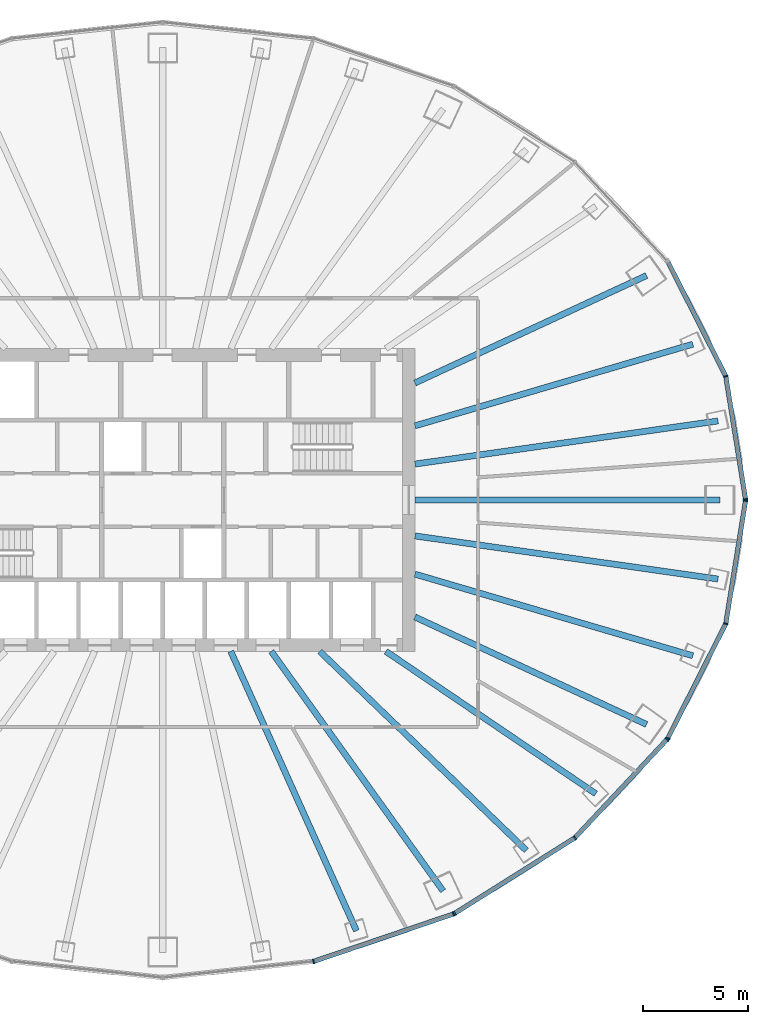
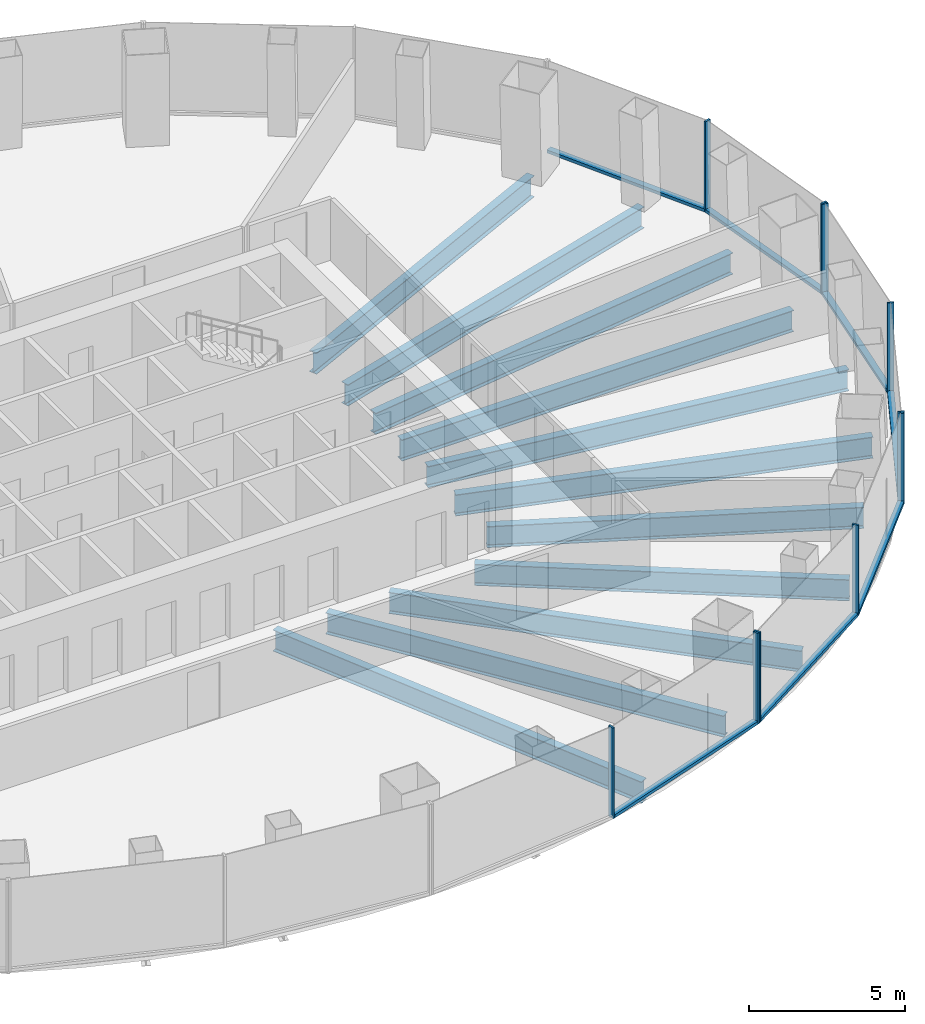
# One storey, part 4 of 11: 17 members, 11 beams, 4 elements without a shape of their own.
"""IFC4 building model written with IfcOpenShell, lengths in metres."""

import ifcopenshell
import ifcopenshell.guid

model = None  # the IFC model being written
_history = None  # IfcOwnerHistory: only IFC2X3 demands one
_inside = {}  # id of a spatial element -> (the spatial element, [elements in it])
_under = {}  # id of a project, library or spatial element -> (it, [spatial elements below it])
_declared = {}  # id of a project -> (the project, [libraries it declares])
_typed = {}  # id of a type object -> (the type object, [elements of that type])
_made_of = {}  # id of a material, layer set ... -> (it, [elements and type objects made of it])


def new_model(schema):
    """Start an empty IFC model of exactly this schema.

    Asked for "IFC4X3", IfcOpenShell would pick the latest addendum, in which some entities
    have other attributes; the version numbers below select the first issue.
    IFC2X3 requires an IfcOwnerHistory on every rooted entity: one is made here for all.
    """
    global model, _history
    if schema == "IFC4X3":
        model = ifcopenshell.file(schema_version=(4, 3, 0, 0))
    else:
        model = ifcopenshell.file(schema=schema)
    _inside.clear()
    _under.clear()
    _declared.clear()
    _typed.clear()
    _made_of.clear()
    _history = None
    if model.schema == "IFC2X3":
        org = make("IfcOrganization", Name="unknown")
        user = make(
            "IfcPersonAndOrganization",
            ThePerson=make("IfcPerson", FamilyName="unknown"),
            TheOrganization=org,
        )
        app = make(
            "IfcApplication",
            ApplicationDeveloper=org,
            Version="unknown",
            ApplicationFullName="unknown",
            ApplicationIdentifier="unknown",
        )
        _history = make(
            "IfcOwnerHistory",
            OwningUser=user,
            OwningApplication=app,
            ChangeAction="ADDED",
            CreationDate=0,
        )
    return model


def make(cls, **values):
    """One entity of the class cls with the attributes given. An attribute that is None is left unset."""
    return model.create_entity(
        cls, **{name: value for name, value in values.items() if value is not None}
    )


def rooted(cls, **values):
    """An entity with a GlobalId (a new one), such as an element, a storey or a relation."""
    return make(cls, GlobalId=ifcopenshell.guid.new(), OwnerHistory=_history, **values)


def si_unit(unit_type, name, prefix=None):
    """IfcSIUnit, for example si_unit("LENGTHUNIT", "METRE", prefix="MILLI")."""
    return make("IfcSIUnit", UnitType=unit_type, Prefix=prefix, Name=name)


def assignment(units):
    """IfcUnitAssignment: the units of a project."""
    return None if units is None else make("IfcUnitAssignment", Units=units)


def point(xyz):
    """IfcCartesianPoint."""
    return None if xyz is None else make("IfcCartesianPoint", Coordinates=xyz)


def direction(xyz):
    """IfcDirection."""
    return None if xyz is None else make("IfcDirection", DirectionRatios=xyz)


def frame(location, z_axis=None, x_axis=None):
    """IfcAxis2Placement3D, a coordinate frame: its origin and axes. An axis left out is left unset."""
    return make(
        "IfcAxis2Placement3D",
        Location=point(location),
        Axis=direction(z_axis),
        RefDirection=direction(x_axis),
    )


def frame_2d(location, x_axis=None):
    """IfcAxis2Placement2D, a coordinate frame in the plane: its origin and x axis."""
    return make(
        "IfcAxis2Placement2D", Location=point(location), RefDirection=direction(x_axis)
    )


def origin():
    """The frame at (0, 0, 0) with its axes left unset."""
    return frame((0.0, 0.0, 0.0))


def origin_2d():
    """The frame at (0, 0) in the plane with its x axis left unset."""
    return frame_2d((0.0, 0.0))


def place(relative_to, where):
    """IfcLocalPlacement: puts the frame where relative to a parent placement (None: the world)."""
    return make(
        "IfcLocalPlacement", PlacementRelTo=relative_to, RelativePlacement=where
    )


def context(
    kind, dimensions, precision=None, world=None, true_north=None, identifier=None
):
    """IfcGeometricRepresentationContext, for example the 3D "Model" context."""
    return make(
        "IfcGeometricRepresentationContext",
        ContextIdentifier=identifier,
        ContextType=kind,
        CoordinateSpaceDimension=dimensions,
        Precision=precision,
        WorldCoordinateSystem=world,
        TrueNorth=true_north,
    )


def subcontext(parent, identifier, kind, view, scale=None):
    """IfcGeometricRepresentationSubContext, for example "Body" below "Model"."""
    return make(
        "IfcGeometricRepresentationSubContext",
        ContextIdentifier=identifier,
        ContextType=kind,
        ParentContext=parent,
        TargetScale=scale,
        TargetView=view,
    )


def project(units=None, contexts=None):
    """IfcProject with its units and contexts."""
    return rooted(
        "IfcProject",
        Name="project",
        RepresentationContexts=contexts,
        UnitsInContext=assignment(units),
    )


def spatial(cls, under=None, at=None, **own):
    """A site, building, storey or space (cls), placed at a placement, below another one or the project."""
    s = rooted(cls, ObjectPlacement=at, **own)
    if under is not None:
        _under.setdefault(under.id(), (under, []))[1].append(s)
    return s


def profile(cls, at=None, kind="AREA", **sizes):
    """A parametric profile (cls). Its sizes go by their IFC names, for example OverallWidth=200.0."""
    return make(cls, ProfileType=kind, Position=at, **sizes)


def rectangle(**sizes):
    """IfcRectangleProfileDef."""
    return profile("IfcRectangleProfileDef", **sizes)


def i_section(**sizes):
    """IfcIShapeProfileDef."""
    return profile("IfcIShapeProfileDef", **sizes)


def extrude(swept, where, along, depth):
    """IfcExtrudedAreaSolid: the profile swept, set in the frame where, extruded along a direction by depth."""
    return make(
        "IfcExtrudedAreaSolid",
        SweptArea=swept,
        Position=where,
        ExtrudedDirection=direction(along),
        Depth=depth,
    )


def shape(context_of_items, identifier, shape_type, items):
    """IfcShapeRepresentation: the items that make up one representation, for example the "Body"."""
    return make(
        "IfcShapeRepresentation",
        ContextOfItems=context_of_items,
        RepresentationIdentifier=identifier,
        RepresentationType=shape_type,
        Items=items,
    )


def material(Name=None, Category=None):
    """IfcMaterial."""
    return make("IfcMaterial", Name=Name, Category=Category)


def layer(
    of_material, thickness, ventilated=None, Name=None, Category=None, Priority=None
):
    """IfcMaterialLayer: one layer of a wall or slab, of a material (None: an air gap)."""
    return make(
        "IfcMaterialLayer",
        Material=of_material,
        LayerThickness=thickness,
        IsVentilated=ventilated,
        Name=Name,
        Category=Category,
        Priority=Priority,
    )


def layer_set(layers, Name=None):
    """IfcMaterialLayerSet."""
    return make("IfcMaterialLayerSet", MaterialLayers=layers, LayerSetName=Name)


def material_profile(
    of_material, cross_section, Name=None, Category=None, Priority=None
):
    """IfcMaterialProfile: a cross section and its material."""
    return make(
        "IfcMaterialProfile",
        Name=Name,
        Material=of_material,
        Profile=cross_section,
        Priority=Priority,
        Category=Category,
    )


def profile_set(profiles, Name=None, composite=None):
    """IfcMaterialProfileSet."""
    return make(
        "IfcMaterialProfileSet",
        Name=Name,
        MaterialProfiles=profiles,
        CompositeProfile=composite,
    )


def made_of(thing, what):
    """Note that an element or type object is made of a material, layer set ...; save() writes the relation."""
    if what is not None:
        _made_of.setdefault(what.id(), (what, []))[1].append(thing)
    return thing


def type_object(cls, material=None, **own):
    """A type object (cls), such as IfcWallType, which elements share."""
    return made_of(rooted(cls, **own), material)


def element(
    cls,
    number,
    at=None,
    inside=None,
    cuts=None,
    type_object=None,
    material=None,
    context=None,
    identifier="Body",
    shape_type=None,
    held_by="IfcProductDefinitionShape",
    body=None,
    shapes=None,
    **own,
):
    """One element of the class cls, such as IfcWall. Its Tag is "e" and its number.

    at: its placement. inside: the storey or other place that contains it. cuts: it is an
    opening in that element (IfcRelVoidsElement). A single representation is given by context,
    identifier, shape_type and body (its items); several are given by shapes. held_by: the class
    of the entity that holds the representations. save() writes the other relations.
    """
    e = rooted(cls, Tag="e%d" % number, ObjectPlacement=at, **own)
    if body is not None:
        shapes = [shape(context, identifier, shape_type, body)]
    if shapes is not None:
        e.Representation = make(held_by, Representations=shapes)
    if inside is not None:
        _inside.setdefault(inside.id(), (inside, []))[1].append(e)
    if cuts is not None:
        rooted(
            "IfcRelVoidsElement", RelatingBuildingElement=cuts, RelatedOpeningElement=e
        )
    if type_object is not None:
        _typed.setdefault(type_object.id(), (type_object, []))[1].append(e)
    return made_of(e, material)


def aggregate(whole, parts):
    """IfcRelAggregates: a whole, such as a stair, and the parts it consists of."""
    return rooted("IfcRelAggregates", RelatingObject=whole, RelatedObjects=parts)


def save(model, path):
    """Write the relations noted so far, then the file.

    IfcRelAggregates (storeys below a building ...), IfcRelContainedInSpatialStructure (elements
    in a storey), IfcRelDefinesByType, IfcRelAssociatesMaterial and IfcRelDeclares: one each for
    every whole, place, type object, material and project.
    """
    for whole, parts in _under.values():
        aggregate(whole, parts)
    for where, things in _inside.values():
        rooted(
            "IfcRelContainedInSpatialStructure",
            RelatedElements=things,
            RelatingStructure=where,
        )
    for kind, things in _typed.values():
        rooted("IfcRelDefinesByType", RelatedObjects=things, RelatingType=kind)
    for what, things in _made_of.values():
        rooted("IfcRelAssociatesMaterial", RelatedObjects=things, RelatingMaterial=what)
    for by, libraries in _declared.values():
        rooted("IfcRelDeclares", RelatingContext=by, RelatedDefinitions=libraries)
    model.write(path)


model = new_model("IFC4")

# Units and contexts
model_context = context("Model", 3, precision=1e-05, world=origin(), true_north=direction((0.0, 1.0)))
body_context = subcontext(model_context, "Body", "Model", "MODEL_VIEW")
ifc_project = project(units=[si_unit("LENGTHUNIT", "METRE"), si_unit("AREAUNIT", "SQUARE_METRE"), si_unit("VOLUMEUNIT", "CUBIC_METRE"), si_unit("PLANEANGLEUNIT", "RADIAN"), si_unit("MASSUNIT", "GRAM", prefix="KILO")], contexts=[model_context])

# Site, building, storey
site_placement = place(None, origin())
site = spatial("IfcSite", under=ifc_project, at=site_placement, CompositionType="ELEMENT")
building_placement = place(site_placement, origin())
building = spatial("IfcBuilding", under=site, at=building_placement, Name="Siaravel Broadcast Tower", CompositionType="ELEMENT")
storey_placement = place(building_placement, frame((0.0, 0.0, 55.60009765625)))
storey = spatial("IfcBuildingStorey", under=building, at=storey_placement, Name="L12", CompositionType="ELEMENT", Elevation=55.60009765625)

# Beams
ifc_material_1 = material(Name="Steel S355", Category="steel")
ifc_material_profile_1 = material_profile(ifc_material_1, i_section(OverallWidth=0.291748046875, OverallDepth=0.8349609375, WebThickness=0.013916015625, FlangeThickness=0.018798828125, FilletRadius=0.017822265625, at=origin_2d()))
ifc_profile_set_1 = profile_set([ifc_material_profile_1], Name="Steel S355")
beam_type = type_object("IfcBeamType", Name="BM-UB 838x292x176", PredefinedType="BEAM", material=ifc_profile_set_1)
beam_1_placement = place(storey_placement, frame((26.517822265625, 0.0, -0.5673828125), z_axis=(-1.0, 0.0, 0.0), x_axis=(0.0, -1.0, 0.0)))
element("IfcBeam", 1, at=beam_1_placement, inside=storey, type_object=beam_type, Name="Radial beam RB01", PredefinedType="BEAM", context=body_context, shape_type="SweptSolid", body=[
    extrude(i_section(OverallWidth=0.291748046875, OverallDepth=0.8349609375, WebThickness=0.013916015625, FlangeThickness=0.018798828125, FilletRadius=0.017822265625, at=origin_2d()), origin(), (0.0, 0.0, 1.0), 14.517822265625),
])
beam_2_placement = place(storey_placement, frame((26.416259765625, 3.760009765625, -0.5673828125), z_axis=(-0.990021125, -0.140919026, 0.0), x_axis=(0.140919026, -0.990021125, 0.0)))
element("IfcBeam", 2, at=beam_2_placement, inside=storey, type_object=beam_type, Name="Radial beam RB02", PredefinedType="BEAM", context=body_context, shape_type="SweptSolid", body=[
    extrude(i_section(OverallWidth=0.291748046875, OverallDepth=0.8349609375, WebThickness=0.013916015625, FlangeThickness=0.018798828125, FilletRadius=0.017822265625, at=origin_2d()), origin(), (0.0, 0.0, 1.0), 14.5615234375),
])
beam_3_placement = place(storey_placement, frame((25.22119140625, 7.412353515625, -0.5673828125), z_axis=(-0.959421341, -0.281976402, 0.0), x_axis=(0.281976402, -0.959421341, 0.0)))
element("IfcBeam", 3, at=beam_3_placement, inside=storey, type_object=beam_type, Name="Radial beam RB03", PredefinedType="BEAM", context=body_context, shape_type="SweptSolid", body=[
    extrude(i_section(OverallWidth=0.291748046875, OverallDepth=0.8349609375, WebThickness=0.013916015625, FlangeThickness=0.018798828125, FilletRadius=0.017822265625, at=origin_2d()), origin(), (0.0, 0.0, 1.0), 13.7802734375),
])
beam_4_placement = place(storey_placement, frame((23.018798828125, 10.677490234375, -0.5673828125), z_axis=(-0.907159436, -0.420787069, 0.0), x_axis=(0.420787069, -0.907159436, 0.0)))
element("IfcBeam", 4, at=beam_4_placement, inside=storey, type_object=beam_type, Name="Radial beam RB04", PredefinedType="BEAM", context=body_context, shape_type="SweptSolid", body=[
    extrude(i_section(OverallWidth=0.291748046875, OverallDepth=0.8349609375, WebThickness=0.013916015625, FlangeThickness=0.018798828125, FilletRadius=0.017822265625, at=origin_2d()), origin(), (0.0, 0.0, 1.0), 12.146484375),
])
beam_5_placement = place(storey_placement, frame((9.21728515625, -20.4912109375, -0.5673828125), z_axis=(-0.410219095, 0.911987003, 0.0), x_axis=(-0.911987003, -0.410219095, 0.0)))
element("IfcBeam", 5, at=beam_5_placement, inside=storey, type_object=beam_type, Name="Radial beam RB30", PredefinedType="BEAM", context=body_context, shape_type="SweptSolid", body=[
    extrude(i_section(OverallWidth=0.291748046875, OverallDepth=0.8349609375, WebThickness=0.013916015625, FlangeThickness=0.018798828125, FilletRadius=0.017822265625, at=origin_2d()), origin(), (0.0, 0.0, 1.0), 14.573974609375),
])
beam_6_placement = place(storey_placement, frame((13.338623046875, -18.596923828125, -0.5673828125), z_axis=(-0.582824427, 0.812598109, 0.0), x_axis=(-0.812598109, -0.582824427, 0.0)))
element("IfcBeam", 6, at=beam_6_placement, inside=storey, type_object=beam_type, Name="Radial beam RB31", PredefinedType="BEAM", context=body_context, shape_type="SweptSolid", body=[
    extrude(i_section(OverallWidth=0.291748046875, OverallDepth=0.8349609375, WebThickness=0.013916015625, FlangeThickness=0.018798828125, FilletRadius=0.017822265625, at=origin_2d()), origin(), (0.0, 0.0, 1.0), 14.025390625),
])
beam_7_placement = place(storey_placement, frame((17.29931640625, -16.67041015625, -0.5673828125), z_axis=(-0.720070904, 0.693900493, 0.0), x_axis=(-0.693900493, -0.720070904, 0.0)))
element("IfcBeam", 7, at=beam_7_placement, inside=storey, type_object=beam_type, Name="Radial beam RB32", PredefinedType="BEAM", context=body_context, shape_type="SweptSolid", body=[
    extrude(i_section(OverallWidth=0.291748046875, OverallDepth=0.8349609375, WebThickness=0.013916015625, FlangeThickness=0.018798828125, FilletRadius=0.017822265625, at=origin_2d()), origin(), (0.0, 0.0, 1.0), 13.648193359375),
])
beam_8_placement = place(storey_placement, frame((20.59765625, -13.96875, -0.5673828125), z_axis=(-0.8276296, 0.561274661, 0.0), x_axis=(-0.561274661, -0.8276296, 0.0)))
element("IfcBeam", 8, at=beam_8_placement, inside=storey, type_object=beam_type, Name="Radial beam RB33", PredefinedType="BEAM", context=body_context, shape_type="SweptSolid", body=[
    extrude(i_section(OverallWidth=0.291748046875, OverallDepth=0.8349609375, WebThickness=0.013916015625, FlangeThickness=0.018798828125, FilletRadius=0.017822265625, at=origin_2d()), origin(), (0.0, 0.0, 1.0), 12.0595703125),
])
beam_9_placement = place(storey_placement, frame((23.018798828125, -10.677490234375, -0.5673828125), z_axis=(-0.907159436, 0.420787069, 0.0), x_axis=(-0.420787069, -0.907159436, 0.0)))
element("IfcBeam", 9, at=beam_9_placement, inside=storey, type_object=beam_type, Name="Radial beam RB34", PredefinedType="BEAM", context=body_context, shape_type="SweptSolid", body=[
    extrude(i_section(OverallWidth=0.291748046875, OverallDepth=0.8349609375, WebThickness=0.013916015625, FlangeThickness=0.018798828125, FilletRadius=0.017822265625, at=origin_2d()), origin(), (0.0, 0.0, 1.0), 12.146484375),
])
beam_10_placement = place(storey_placement, frame((25.22119140625, -7.412353515625, -0.5673828125), z_axis=(-0.959421341, 0.281976402, 0.0), x_axis=(-0.281976402, -0.959421341, 0.0)))
element("IfcBeam", 10, at=beam_10_placement, inside=storey, type_object=beam_type, Name="Radial beam RB35", PredefinedType="BEAM", context=body_context, shape_type="SweptSolid", body=[
    extrude(i_section(OverallWidth=0.291748046875, OverallDepth=0.8349609375, WebThickness=0.013916015625, FlangeThickness=0.018798828125, FilletRadius=0.017822265625, at=origin_2d()), origin(), (0.0, 0.0, 1.0), 13.7802734375),
])
beam_11_placement = place(storey_placement, frame((26.416259765625, -3.760009765625, -0.5673828125), z_axis=(-0.990021125, 0.140919026, 0.0), x_axis=(-0.140919026, -0.990021125, 0.0)))
element("IfcBeam", 11, at=beam_11_placement, inside=storey, type_object=beam_type, Name="Radial beam RB36", PredefinedType="BEAM", context=body_context, shape_type="SweptSolid", body=[
    extrude(i_section(OverallWidth=0.291748046875, OverallDepth=0.8349609375, WebThickness=0.013916015625, FlangeThickness=0.018798828125, FilletRadius=0.017822265625, at=origin_2d()), origin(), (0.0, 0.0, 1.0), 14.5615234375),
])

# Curtain wall, members
ifc_material_2 = material(Name="Aluminium 6063-T6", Category="aluminium")
ifc_layer = layer(ifc_material_2, 0.219970703125)
ifc_layer_set = layer_set([ifc_layer], Name="Aluminium 6063-T6")
curtain_wall_type = type_object("IfcCurtainWallType", Name="Unitised curtain wall, zone 1", PredefinedType="NOTDEFINED", material=ifc_layer_set)
curtain_wall_1_placement = place(storey_placement, origin())
curtain_wall_1 = element("IfcCurtainWall", 12, at=curtain_wall_1_placement, inside=storey, type_object=curtain_wall_type, Name="L12 Unitised curtain wall, zone 1 01", PredefinedType="NOTDEFINED")
ifc_material_profile_2 = material_profile(ifc_material_2, rectangle(XDim=0.219970703125, YDim=0.070068359375, at=origin_2d()))
ifc_profile_set_2 = profile_set([ifc_material_profile_2], Name="Aluminium 6063-T6")
member_type_1 = type_object("IfcMemberType", Name="CW-Z1 mullion", PredefinedType="MULLION", material=ifc_profile_set_2)
member_1_placement = place(storey_placement, frame((27.726318359375, 0.03466796875, 0.0), z_axis=(0.0, 0.0, 1.0), x_axis=(-0.987329143, -0.158685735, 0.0)))
member_1 = element("IfcMember", 13, at=member_1_placement, type_object=member_type_1, Name="CW-Z1 mullion 1", PredefinedType="MULLION", context=body_context, shape_type="SweptSolid", body=[
    extrude(rectangle(XDim=0.219970703125, YDim=0.070068359375, at=origin_2d()), origin(), (0.0, 0.0, 1.0), 3.5498046875),
])
member_2_placement = place(storey_placement, frame((26.7861328125, 5.88427734375, 0.0), z_axis=(0.0, 0.0, 1.0), x_axis=(-0.951177111, -0.308645596, 0.0)))
member_2 = element("IfcMember", 14, at=member_2_placement, type_object=member_type_1, Name="CW-Z1 mullion 2", PredefinedType="MULLION", context=body_context, shape_type="SweptSolid", body=[
    extrude(rectangle(XDim=0.219970703125, YDim=0.070068359375, at=origin_2d()), origin(), (0.0, 0.0, 1.0), 3.5498046875),
])

curtain_wall_2_placement = place(storey_placement, origin())
curtain_wall_2 = element("IfcCurtainWall", 15, at=curtain_wall_2_placement, inside=storey, type_object=curtain_wall_type, Name="L12 Unitised curtain wall, zone 1 10", PredefinedType="NOTDEFINED")
member_3_placement = place(storey_placement, frame((7.17529296875, -21.95068359375, 0.0), z_axis=(0.0, 0.0, 1.0), x_axis=(-0.215558136, 0.976491009, 0.0)))
member_3 = element("IfcMember", 16, at=member_3_placement, type_object=member_type_1, Name="CW-Z1 mullion 2", PredefinedType="MULLION", context=body_context, shape_type="SweptSolid", body=[
    extrude(rectangle(XDim=0.219970703125, YDim=0.070068359375, at=origin_2d()), origin(), (0.0, 0.0, 1.0), 3.5498046875),
])
member_4_placement = place(storey_placement, frame((13.8291015625, -19.693115234375, 0.0), z_axis=(0.0, 0.0, 1.0), x_axis=(-0.321300709, 0.94697722, 0.0)))
member_4 = element("IfcMember", 17, at=member_4_placement, type_object=member_type_1, Name="CW-Z1 mullion 3", PredefinedType="MULLION", context=body_context, shape_type="SweptSolid", body=[
    extrude(rectangle(XDim=0.219970703125, YDim=0.070068359375, at=origin_2d()), origin(), (0.0, 0.0, 1.0), 3.5498046875),
])

curtain_wall_3_placement = place(storey_placement, origin())
curtain_wall_3 = element("IfcCurtainWall", 18, at=curtain_wall_3_placement, inside=storey, type_object=curtain_wall_type, Name="L12 Unitised curtain wall, zone 1 11", PredefinedType="NOTDEFINED")
member_5_placement = place(storey_placement, frame((13.89208984375, -19.663330078125, 0.0), z_axis=(0.0, 0.0, 1.0), x_axis=(-0.532149214, 0.846650586, 0.0)))
member_5 = element("IfcMember", 19, at=member_5_placement, type_object=member_type_1, Name="CW-Z1 mullion 1", PredefinedType="MULLION", context=body_context, shape_type="SweptSolid", body=[
    extrude(rectangle(XDim=0.219970703125, YDim=0.070068359375, at=origin_2d()), origin(), (0.0, 0.0, 1.0), 3.5498046875),
])
member_6_placement = place(storey_placement, frame((19.605712890625, -16.072021484375, 0.0), z_axis=(0.0, 0.0, 1.0), x_axis=(-0.636218527, 0.771508902, 0.0)))
member_6 = element("IfcMember", 20, at=member_6_placement, type_object=member_type_1, Name="CW-Z1 mullion 2", PredefinedType="MULLION", context=body_context, shape_type="SweptSolid", body=[
    extrude(rectangle(XDim=0.219970703125, YDim=0.070068359375, at=origin_2d()), origin(), (0.0, 0.0, 1.0), 3.5498046875),
])
member_7_placement = place(storey_placement, frame((23.990234375, -11.3916015625, 0.0), z_axis=(0.0, 0.0, 1.0), x_axis=(-0.729805061, 0.683655302, 0.0)))
member_7 = element("IfcMember", 21, at=member_7_placement, type_object=member_type_1, Name="CW-Z1 mullion 3", PredefinedType="MULLION", context=body_context, shape_type="SweptSolid", body=[
    extrude(rectangle(XDim=0.219970703125, YDim=0.070068359375, at=origin_2d()), origin(), (0.0, 0.0, 1.0), 3.5498046875),
])

curtain_wall_4_placement = place(storey_placement, origin())
curtain_wall_4 = element("IfcCurtainWall", 22, at=curtain_wall_4_placement, inside=storey, type_object=curtain_wall_type, Name="L12 Unitised curtain wall, zone 1 12", PredefinedType="NOTDEFINED")
member_8_placement = place(storey_placement, frame((24.02978515625, -11.3349609375, 0.0), z_axis=(0.0, 0.0, 1.0), x_axis=(-0.892391886, 0.451261257, 0.0)))
member_8 = element("IfcMember", 23, at=member_8_placement, type_object=member_type_1, Name="CW-Z1 mullion 1", PredefinedType="MULLION", context=body_context, shape_type="SweptSolid", body=[
    extrude(rectangle(XDim=0.219970703125, YDim=0.070068359375, at=origin_2d()), origin(), (0.0, 0.0, 1.0), 3.5498046875),
])
member_9_placement = place(storey_placement, frame((26.7861328125, -5.88427734375, 0.0), z_axis=(0.0, 0.0, 1.0), x_axis=(-0.951177111, 0.308645596, 0.0)))
member_9 = element("IfcMember", 24, at=member_9_placement, type_object=member_type_1, Name="CW-Z1 mullion 2", PredefinedType="MULLION", context=body_context, shape_type="SweptSolid", body=[
    extrude(rectangle(XDim=0.219970703125, YDim=0.070068359375, at=origin_2d()), origin(), (0.0, 0.0, 1.0), 3.5498046875),
])
member_10_placement = place(storey_placement, frame((27.726318359375, -0.03466796875, 0.0), z_axis=(0.0, 0.0, 1.0), x_axis=(-0.987329143, 0.158685735, 0.0)))
member_10 = element("IfcMember", 25, at=member_10_placement, type_object=member_type_1, Name="CW-Z1 mullion 3", PredefinedType="MULLION", context=body_context, shape_type="SweptSolid", body=[
    extrude(rectangle(XDim=0.219970703125, YDim=0.070068359375, at=origin_2d()), origin(), (0.0, 0.0, 1.0), 3.5498046875),
])

# Member
ifc_material_profile_3 = material_profile(ifc_material_2, rectangle(XDim=0.219970703125, YDim=0.1201171875, at=origin_2d()))
ifc_profile_set_3 = profile_set([ifc_material_profile_3], Name="Aluminium 6063-T6")
member_type_2 = type_object("IfcMemberType", Name="CW-Z1 transom", PredefinedType="USERDEFINED", material=ifc_profile_set_3)
member_11_placement = place(storey_placement, frame((27.720703125, 0.069091796875, 0.059814453125), z_axis=(-0.158668659, 0.987331888, 0.0), x_axis=(-0.987331888, -0.158668659, 0.0)))
member_11 = element("IfcMember", 26, at=member_11_placement, type_object=member_type_2, Name="CW-Z1 transom 1", ObjectType="TRANSOM", PredefinedType="USERDEFINED", context=body_context, shape_type="SweptSolid", body=[
    extrude(rectangle(XDim=0.219970703125, YDim=0.1201171875, at=origin_2d()), origin(), (0.0, 0.0, 1.0), 5.854736328125),
])

member_12_placement = place(storey_placement, frame((26.7705078125, 5.915283203125, 0.059814453125), z_axis=(-0.451268424, 0.892388262, 0.0), x_axis=(-0.892388262, -0.451268424, 0.0)))
member_12 = element("IfcMember", 27, at=member_12_placement, type_object=member_type_2, Name="CW-Z1 transom 2", ObjectType="TRANSOM", PredefinedType="USERDEFINED", context=body_context, shape_type="SweptSolid", body=[
    extrude(rectangle(XDim=0.219970703125, YDim=0.1201171875, at=origin_2d()), origin(), (0.0, 0.0, 1.0), 6.038330078125),
])

aggregate(curtain_wall_1, [member_1, member_2, member_11, member_12])

member_13_placement = place(storey_placement, frame((7.20849609375, -21.939697265625, 0.059814453125), z_axis=(0.946974505, 0.321308709, 0.0), x_axis=(-0.321308709, 0.946974505, 0.0)))
member_13 = element("IfcMember", 28, at=member_13_placement, type_object=member_type_2, Name="CW-Z1 transom 2", ObjectType="TRANSOM", PredefinedType="USERDEFINED", context=body_context, shape_type="SweptSolid", body=[
    extrude(rectangle(XDim=0.219970703125, YDim=0.1201171875, at=origin_2d()), origin(), (0.0, 0.0, 1.0), 6.956298828125),
])

aggregate(curtain_wall_2, [member_3, member_4, member_13])

member_14_placement = place(storey_placement, frame((13.921630859375, -19.644775390625, 0.059814453125), z_axis=(0.846658666, 0.532136358, 0.0), x_axis=(-0.532136358, 0.846658666, 0.0)))
member_14 = element("IfcMember", 29, at=member_14_placement, type_object=member_type_2, Name="CW-Z1 transom 1", ObjectType="TRANSOM", PredefinedType="USERDEFINED", context=body_context, shape_type="SweptSolid", body=[
    extrude(rectangle(XDim=0.219970703125, YDim=0.1201171875, at=origin_2d()), origin(), (0.0, 0.0, 1.0), 6.6787109375),
])

member_15_placement = place(storey_placement, frame((19.629638671875, -16.04638671875, 0.059814453125), z_axis=(0.683676063, 0.729785613, 0.0), x_axis=(-0.729785613, 0.683676063, 0.0)))
member_15 = element("IfcMember", 30, at=member_15_placement, type_object=member_type_2, Name="CW-Z1 transom 2", ObjectType="TRANSOM", PredefinedType="USERDEFINED", context=body_context, shape_type="SweptSolid", body=[
    extrude(rectangle(XDim=0.219970703125, YDim=0.1201171875, at=origin_2d()), origin(), (0.0, 0.0, 1.0), 6.34326171875),
])

aggregate(curtain_wall_3, [member_5, member_6, member_7, member_14, member_15])

member_16_placement = place(storey_placement, frame((24.045654296875, -11.3037109375, 0.059814453125), z_axis=(0.451268424, 0.892388262, 0.0), x_axis=(-0.892388262, 0.451268424, 0.0)))
member_16 = element("IfcMember", 31, at=member_16_placement, type_object=member_type_2, Name="CW-Z1 transom 1", ObjectType="TRANSOM", PredefinedType="USERDEFINED", context=body_context, shape_type="SweptSolid", body=[
    extrude(rectangle(XDim=0.219970703125, YDim=0.1201171875, at=origin_2d()), origin(), (0.0, 0.0, 1.0), 6.038330078125),
])

member_17_placement = place(storey_placement, frame((26.791748046875, -5.849609375, 0.059814453125), z_axis=(0.158668659, 0.987331888, 0.0), x_axis=(-0.987331888, 0.158668659, 0.0)))
member_17 = element("IfcMember", 32, at=member_17_placement, type_object=member_type_2, Name="CW-Z1 transom 2", ObjectType="TRANSOM", PredefinedType="USERDEFINED", context=body_context, shape_type="SweptSolid", body=[
    extrude(rectangle(XDim=0.219970703125, YDim=0.1201171875, at=origin_2d()), origin(), (0.0, 0.0, 1.0), 5.854736328125),
])

aggregate(curtain_wall_4, [member_8, member_9, member_10, member_16, member_17])

save(model, "model.ifc")
